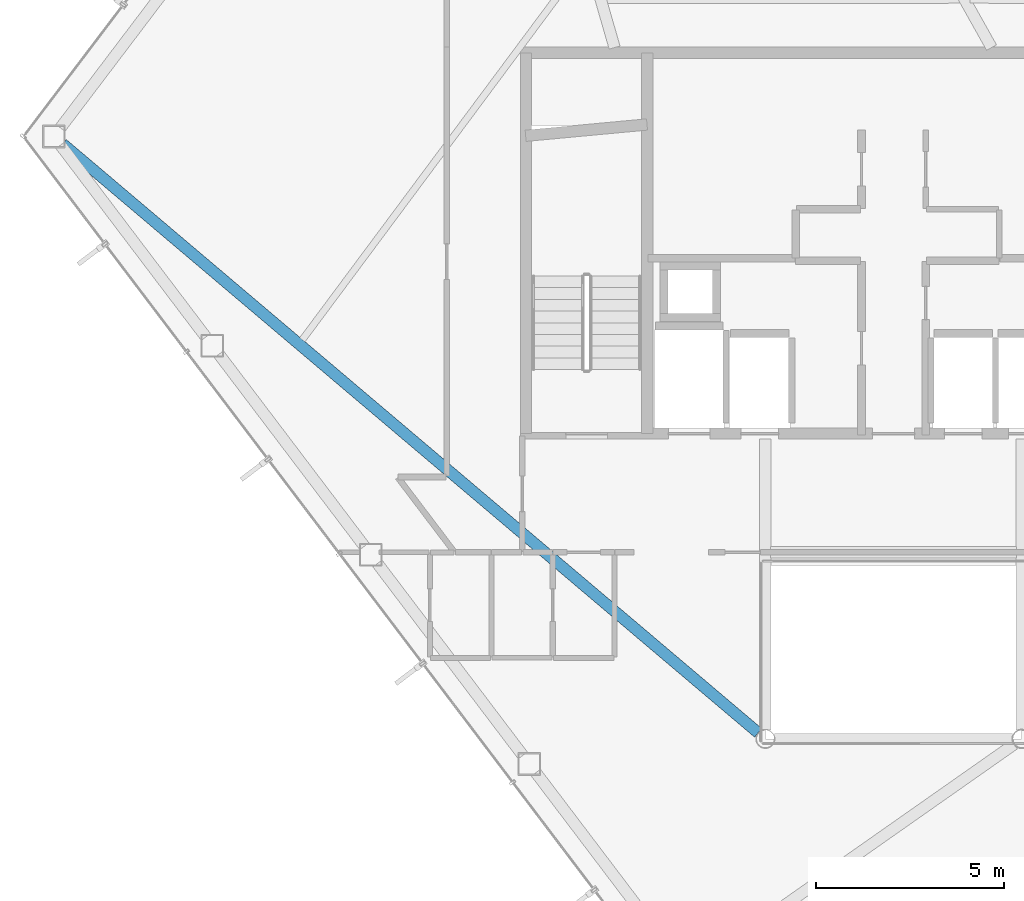
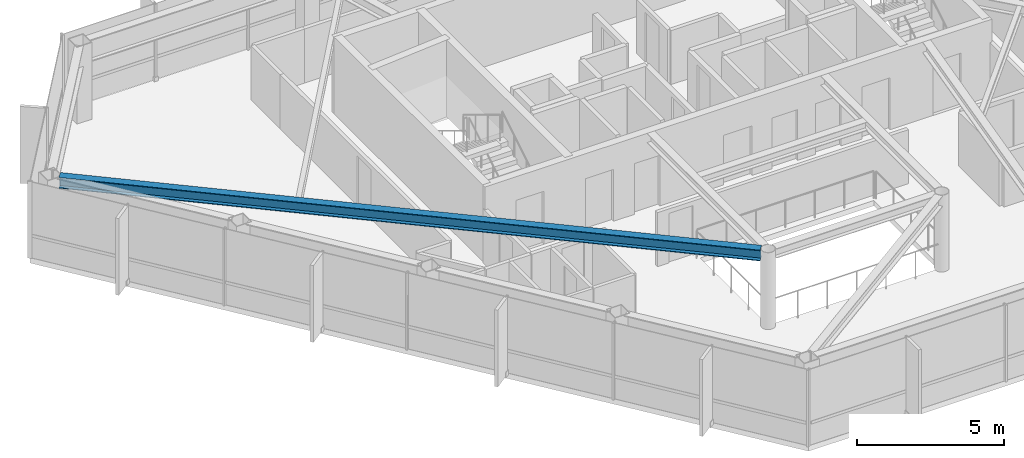
# One storey, part 6 of 27: 1 beam.
"""IFC4 building model written with IfcOpenShell, lengths in metres."""

from ifc_helpers import new_model, si_unit, direction, frame, origin, origin_2d, place, context, subcontext, project, spatial, i_section, extrude, material, material_profile, profile_set, type_object, element, save


model = new_model("IFC4")

# Units and contexts
model_context = context("Model", 3, precision=1e-05, world=origin(), true_north=direction((0.0, 1.0)))
body_context = subcontext(model_context, "Body", "Model", "MODEL_VIEW")
ifc_project = project(units=[si_unit("LENGTHUNIT", "METRE"), si_unit("AREAUNIT", "SQUARE_METRE"), si_unit("VOLUMEUNIT", "CUBIC_METRE"), si_unit("PLANEANGLEUNIT", "RADIAN"), si_unit("MASSUNIT", "GRAM", prefix="KILO")], contexts=[model_context])

# Site, building, storey
site_placement = place(None, origin())
site = spatial("IfcSite", under=ifc_project, at=site_placement, CompositionType="ELEMENT")
building_placement = place(site_placement, origin())
building = spatial("IfcBuilding", under=site, at=building_placement, Name="Zarrinselat Tower", CompositionType="ELEMENT")
storey_placement = place(building_placement, frame((0.0, 0.0, 229.159912109375)))
storey = spatial("IfcBuildingStorey", under=building, at=storey_placement, Name="L57", CompositionType="ELEMENT", Elevation=229.159912109375)

# Beam
ifc_material = material(Name="Steel S355J2", Category="steel")
ifc_material_profile = material_profile(ifc_material, i_section(OverallWidth=0.300048828125, OverallDepth=0.449951171875, WebThickness=0.013916015625, FlangeThickness=0.02587890625, at=origin_2d()), Name="HEB 450")
ifc_profile_set = profile_set([ifc_material_profile], Name="Steel S355J2")
beam_type = type_object("IfcBeamType", Name="BM-HEB450", PredefinedType="BEAM", material=ifc_profile_set)
beam_placement = place(storey_placement, frame((16.357421875, 40.986328125, 2.955078125), z_axis=(0.763145320969, -0.646226909903, 0.0), x_axis=(0.646226909903, 0.763145320969, 0.0)))
element("IfcBeam", 1, at=beam_placement, inside=storey, type_object=beam_type, Name="L57 Radial Primary Girder RG06", PredefinedType="BEAM", context=body_context, shape_type="SweptSolid", body=[
    extrude(i_section(OverallWidth=0.300048828125, OverallDepth=0.449951171875, WebThickness=0.013916015625, FlangeThickness=0.02587890625, at=origin_2d()), origin(), (0.0, 0.0, 1.0), 24.178466796875),
])

save(model, "model.ifc")
